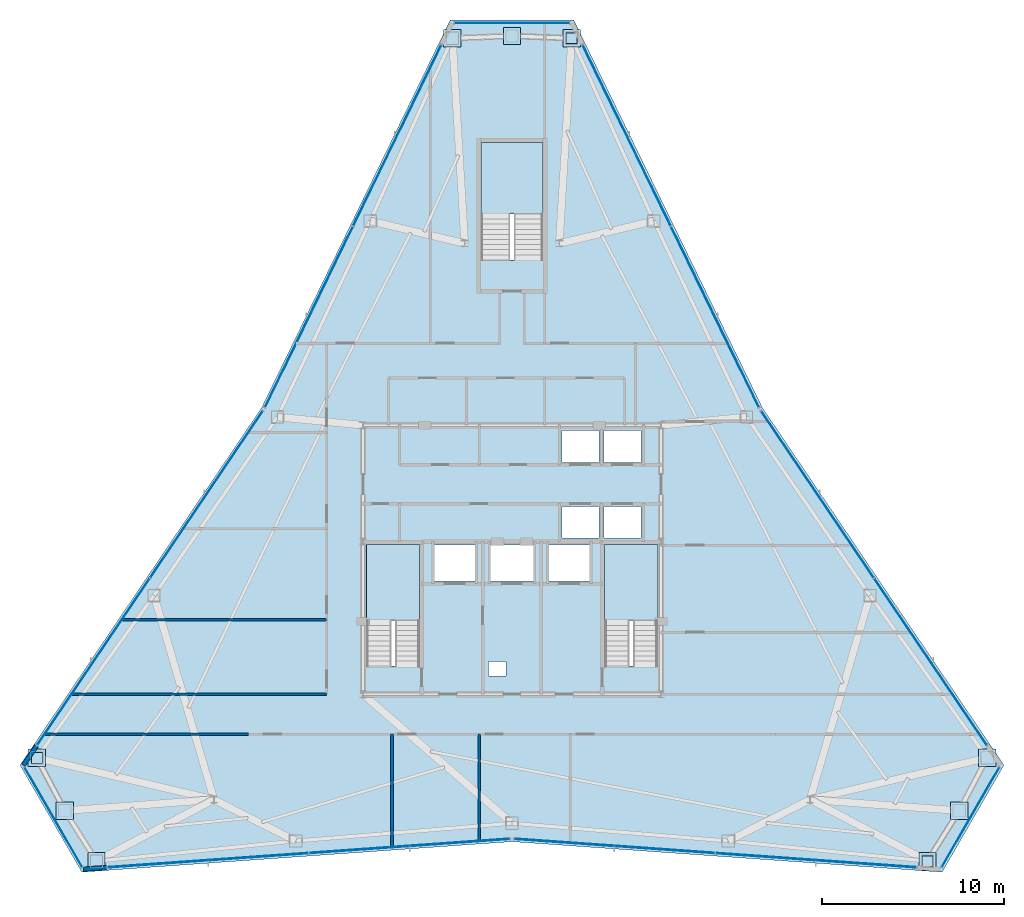
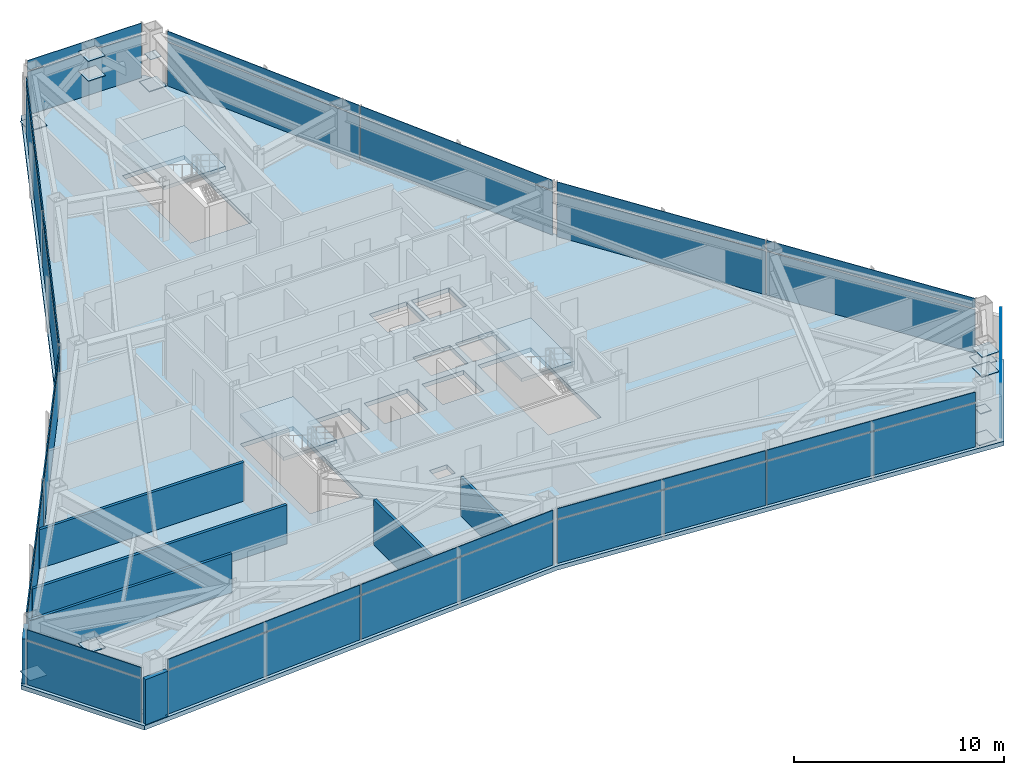
# One storey, part 8 of 12: 45 plates, 7 walls, 4 slabs, 12 elements without a shape of their own.
"""IFC4 building model written with IfcOpenShell, lengths in metres."""

from ifc_helpers import new_model, si_unit, direction, frame, frame_2d, origin, origin_2d, place, context, subcontext, project, spatial, polyline, rectangle, outline, extrude, source, transform, mapped, material, layer, layer_set, type_object, type_shapes, element, aggregate, save


model = new_model("IFC4")

# Units and contexts
model_context = context("Model", 3, precision=1e-05, world=origin(), true_north=direction((0.0, 1.0)))
body_context = subcontext(model_context, "Body", "Model", "MODEL_VIEW")
ifc_project = project(units=[si_unit("LENGTHUNIT", "METRE"), si_unit("AREAUNIT", "SQUARE_METRE"), si_unit("VOLUMEUNIT", "CUBIC_METRE"), si_unit("PLANEANGLEUNIT", "RADIAN"), si_unit("MASSUNIT", "GRAM", prefix="KILO")], contexts=[model_context])

# Site, building, storey
site_placement = place(None, origin())
site = spatial("IfcSite", under=ifc_project, at=site_placement, CompositionType="ELEMENT")
building_placement = place(site_placement, origin())
building = spatial("IfcBuilding", under=site, at=building_placement, Name="Varakhsha Concourse Tower", CompositionType="ELEMENT")
storey_placement = place(building_placement, frame((0.0, 0.0, 211.89990234375)))
storey = spatial("IfcBuildingStorey", under=building, at=storey_placement, Name="L60", CompositionType="ELEMENT", Elevation=211.89990234375)

# Slab
ifc_material_1 = material(Name="Concrete fc 45 MPa", Category="concrete")
ifc_layer_1 = layer(ifc_material_1, 0.25, Name="SL-FLR-250")
ifc_layer_set_1 = layer_set([ifc_layer_1], Name="Concrete fc 45 MPa")
slab_type_1 = type_object("IfcSlabType", Name="SL-FLR-250", PredefinedType="FLOOR", material=ifc_layer_set_1)
slab_1_placement = place(storey_placement, frame((0.0, 0.0, -0.25)))
element("IfcSlab", 1, at=slab_1_placement, inside=storey, type_object=slab_type_1, Name="L60 Composite Structural Slab", PredefinedType="FLOOR", context=body_context, shape_type="SweptSolid", body=[
    extrude(outline(polyline([(43.39990234375, 53.497802734375), (36.60009765625, 53.497802734375), (26.21728515625, 32.157470703125), (12.927490234375, 12.49560546875), (16.327392578125, 6.606689453125), (40.0, 8.28515625), (63.672607421875, 6.606689453125), (67.072509765625, 12.49560546875), (53.78271484375, 32.157470703125), (43.39990234375, 53.497802734375)]), holes=[polyline([(34.919921875, 17.93994140625), (34.919921875, 24.6298828125), (32.0, 24.6298828125), (32.0, 17.93994140625), (34.919921875, 17.93994140625)]), polyline([(48.02001953125, 17.93994140625), (48.02001953125, 24.6298828125), (45.10009765625, 24.6298828125), (45.10009765625, 17.93994140625), (48.02001953125, 17.93994140625)]), polyline([(41.699951171875, 40.300048828125), (41.699951171875, 46.75), (38.300048828125, 46.75), (38.300048828125, 40.300048828125), (41.699951171875, 40.300048828125)]), polyline([(42.739990234375, 29.159912109375), (44.780029296875, 29.159912109375), (44.780029296875, 30.89990234375), (42.739990234375, 30.89990234375), (42.739990234375, 29.159912109375)]), polyline([(45.06005859375, 29.159912109375), (47.10009765625, 29.159912109375), (47.10009765625, 30.89990234375), (45.06005859375, 30.89990234375), (45.06005859375, 29.159912109375)]), polyline([(42.739990234375, 25.0), (44.780029296875, 25.0), (44.780029296875, 26.739990234375), (42.739990234375, 26.739990234375), (42.739990234375, 25.0)]), polyline([(45.06005859375, 25.0), (47.10009765625, 25.0), (47.10009765625, 26.739990234375), (45.06005859375, 26.739990234375), (45.06005859375, 25.0)]), polyline([(35.7099609375, 22.639892578125), (37.989990234375, 22.639892578125), (37.989990234375, 24.60009765625), (35.7099609375, 24.60009765625), (35.7099609375, 22.639892578125)]), polyline([(42.010009765625, 22.639892578125), (44.2900390625, 22.639892578125), (44.2900390625, 24.60009765625), (42.010009765625, 24.60009765625), (42.010009765625, 22.639892578125)]), polyline([(38.81005859375, 22.639892578125), (41.18994140625, 22.639892578125), (41.18994140625, 24.60009765625), (38.81005859375, 24.60009765625), (38.81005859375, 22.639892578125)]), polyline([(38.719970703125, 17.39990234375), (39.679931640625, 17.39990234375), (39.679931640625, 18.199951171875), (38.719970703125, 18.199951171875), (38.719970703125, 17.39990234375)])]), origin(), (0.0, 0.0, 1.0), 0.25),
])

# Stair, slab
stair_type_1 = type_object("IfcStairType", Name="ST-DOGLEG-1360", PredefinedType="HALF_TURN_STAIR", material=ifc_material_1)
stair_1_placement = place(storey_placement, origin())
stair_1 = element("IfcStair", 2, at=stair_1_placement, inside=storey, type_object=stair_type_1, Name="L60 Protected Exit Stair ST1", PredefinedType="HALF_TURN_STAIR")
ifc_layer_2 = layer(ifc_material_1, 0.199951171875, Name="SL-LAND-200")
ifc_layer_set_2 = layer_set([ifc_layer_2], Name="Concrete fc 45 MPa")
slab_type_2 = type_object("IfcSlabType", Name="SL-LAND-200", PredefinedType="LANDING", material=ifc_layer_set_2)
slab_2_placement = place(storey_placement, frame((0.0, 0.0, 1.550048828125)))
slab_2 = element("IfcSlab", 3, at=slab_2_placement, type_object=slab_type_2, Name="ST1 landing 1", PredefinedType="LANDING", context=body_context, shape_type="SweptSolid", body=[
    extrude(outline(polyline([(34.919921875, 20.4599609375), (34.919921875, 24.6298828125), (32.0, 24.6298828125), (32.0, 20.4599609375), (34.919921875, 20.4599609375)])), origin(), (0.0, 0.0, 1.0), 0.199951171875),
])
aggregate(stair_1, [slab_2])

stair_2_placement = place(storey_placement, origin())
stair_2 = element("IfcStair", 4, at=stair_2_placement, inside=storey, type_object=stair_type_1, Name="L60 Protected Exit Stair ST2", PredefinedType="HALF_TURN_STAIR")
slab_3_placement = place(storey_placement, frame((0.0, 0.0, 1.550048828125)))
slab_3 = element("IfcSlab", 5, at=slab_3_placement, type_object=slab_type_2, Name="ST2 landing 1", PredefinedType="LANDING", context=body_context, shape_type="SweptSolid", body=[
    extrude(outline(polyline([(48.02001953125, 20.4599609375), (48.02001953125, 24.6298828125), (45.10009765625, 24.6298828125), (45.10009765625, 20.4599609375), (48.02001953125, 20.4599609375)])), origin(), (0.0, 0.0, 1.0), 0.199951171875),
])
aggregate(stair_2, [slab_3])

stair_type_2 = type_object("IfcStairType", Name="ST-DOGLEG-1600", PredefinedType="HALF_TURN_STAIR", material=ifc_material_1)
stair_3_placement = place(storey_placement, origin())
stair_3 = element("IfcStair", 6, at=stair_3_placement, inside=storey, type_object=stair_type_2, Name="L60 Protected Exit Stair ST5", PredefinedType="HALF_TURN_STAIR")
slab_4_placement = place(storey_placement, frame((0.0, 0.0, 1.550048828125)))
slab_4 = element("IfcSlab", 7, at=slab_4_placement, type_object=slab_type_2, Name="ST5 landing 1", PredefinedType="LANDING", context=body_context, shape_type="SweptSolid", body=[
    extrude(outline(polyline([(41.699951171875, 42.820068359375), (41.699951171875, 46.75), (38.300048828125, 46.75), (38.300048828125, 42.820068359375), (41.699951171875, 42.820068359375)])), origin(), (0.0, 0.0, 1.0), 0.199951171875),
])
aggregate(stair_3, [slab_4])

# Plates
ifc_material_2 = material(Name="Structural Steel ASTM A572 Grade 50", Category="steel")
ifc_layer_3 = layer(ifc_material_2, 0.030029296875, Name="PL-ENDCAP-950")
ifc_layer_set_3 = layer_set([ifc_layer_3], Name="Structural Steel ASTM A572 Grade 50")
plate_type_1 = type_object("IfcPlateType", Name="PL-ENDCAP-950", PredefinedType="USERDEFINED", material=ifc_layer_set_3)
shared_shape_1 = source(origin(), body_context, "Body", "SweptSolid", [
    extrude(rectangle(XDim=0.949951171875, YDim=0.949951171875, at=origin_2d()), origin(), (0.0, 0.0, 1.0), 0.030029296875),
])
type_shapes(plate_type_1, [shared_shape_1])
for number, where, z_axis, x_axis, name in (
    (8, (43.283203125, 52.492431640625, 0.10498046875), (0.0, 0.0, 1.0), (1.0, 0.0, 0.0), "Hollow Section End Cap GP-NODE-L60-0613"),
    (9, (40.0, 52.61767578125, 2.93505859375), (0.0, 0.0, 1.0), (1.0, 0.0, 0.0), "Hollow Section End Cap GP-NODE-L60-0614"),
    (10, (36.716796875, 52.492431640625, 0.10498046875), (0.0, 0.0, 1.0), (1.0, 0.0, 0.0), "Hollow Section End Cap GP-NODE-L60-0615"),
    (11, (13.856201171875, 12.897216796875, 0.10498046875), (0.0, 0.0, 1.0), (1.0, 0.0, 0.0), "Hollow Section End Cap GP-NODE-L60-0616"),
    (12, (15.389404296875, 9.9912109375, 2.93505859375), (0.0, 0.0, 1.0), (1.0, 0.0, 0.0), "Hollow Section End Cap GP-NODE-L60-0617"),
    (13, (17.1396484375, 7.210205078125, 0.10498046875), (0.0, 0.0, 1.0), (1.0, 0.0, 0.0), "Hollow Section End Cap GP-NODE-L60-0618"),
    (14, (62.8603515625, 7.210205078125, 0.10498046875), (0.0, 0.0, 1.0), (1.0, 0.0, 0.0), "Hollow Section End Cap GP-NODE-L60-0619"),
    (15, (64.610595703125, 9.9912109375, 2.93505859375), (0.0, 0.0, 1.0), (1.0, 0.0, 0.0), "Hollow Section End Cap GP-NODE-L60-0620"),
    (16, (66.143798828125, 12.897216796875, 0.10498046875), (0.0, 0.0, 1.0), (1.0, 0.0, 0.0), "Hollow Section End Cap GP-NODE-L60-0621"),
    (17, (40.0, 52.61767578125, 1.78515625), (0.0, 0.0, 1.0), (1.0, 0.0, 0.0), "Hollow Section End Cap GP-NODE-L60-0622"),
    (18, (15.389404296875, 9.9912109375, 1.78515625), (0.0, 0.0, 1.0), (1.0, 0.0, 0.0), "Hollow Section End Cap GP-NODE-L60-0623"),
    (19, (64.610595703125, 9.9912109375, 1.78515625), (0.0, 0.0, 1.0), (1.0, 0.0, 0.0), "Hollow Section End Cap GP-NODE-L60-0624"),
):
    element("IfcPlate", number, at=place(storey_placement, frame(where, z_axis=z_axis, x_axis=x_axis)), inside=storey, type_object=plate_type_1, Name=name, ObjectType="END PLATE", PredefinedType="USERDEFINED", context=body_context, shape_type="MappedRepresentation", body=[
        mapped(shared_shape_1, transform((0.0, 0.0, 0.0), scale=1.0)),
    ])
ifc_layer_4 = layer(ifc_material_2, 0.030029296875, Name="PL-BASE-600")
ifc_layer_set_4 = layer_set([ifc_layer_4], Name="Structural Steel ASTM A572 Grade 50")
plate_type_2 = type_object("IfcPlateType", Name="PL-BASE-600", PredefinedType="SHEET", material=ifc_layer_set_4)
shared_shape_2 = source(origin(), body_context, "Body", "SweptSolid", [
    extrude(rectangle(XDim=0.60009765625, YDim=0.60009765625, at=origin_2d()), origin(), (0.0, 0.0, 1.0), 0.030029296875),
])
type_shapes(plate_type_2, [shared_shape_2])
for number, where, z_axis, x_axis, name in (
    (20, (43.283203125, 52.492431640625, 1.78515625), (0.0, 0.0, 1.0), (1.0, 0.0, 0.0), "Hollow Section End Cap BP-WTIE-L60-1"),
    (21, (13.856201171875, 12.897216796875, 1.78515625), (0.0, 0.0, 1.0), (1.0, 0.0, 0.0), "Hollow Section End Cap BP-WTIE-L60-2"),
    (22, (62.8603515625, 7.210205078125, 1.78515625), (0.0, 0.0, 1.0), (1.0, 0.0, 0.0), "Hollow Section End Cap BP-WTIE-L60-3"),
):
    element("IfcPlate", number, at=place(storey_placement, frame(where, z_axis=z_axis, x_axis=x_axis)), inside=storey, type_object=plate_type_2, Name=name, PredefinedType="SHEET", context=body_context, shape_type="MappedRepresentation", body=[
        mapped(shared_shape_2, transform((0.0, 0.0, 0.0), scale=1.0)),
    ])

# Curtain wall, plate
ifc_material_3 = material(Name="Anodised Bronze Architectural Aluminium AA 6063-T6", Category="aluminium")
ifc_layer_5 = layer(ifc_material_3, 0.199951171875, Name="CW-SYS-05")
ifc_layer_set_5 = layer_set([ifc_layer_5], Name="Anodised Bronze Architectural Aluminium AA 6063-T6")
curtain_wall_type = type_object("IfcCurtainWallType", Name="CW-SYS-05", PredefinedType="NOTDEFINED", material=ifc_layer_set_5)
curtain_wall_1_placement = place(storey_placement, origin())
curtain_wall_1 = element("IfcCurtainWall", 23, at=curtain_wall_1_placement, inside=storey, type_object=curtain_wall_type, Name="L60 Crystal Curtain Wall F2", PredefinedType="NOTDEFINED")
ifc_material_4 = material(Name="Low-E Triple Insulating Glass IGU 44 mm", Category="glass")
ifc_layer_6 = layer(ifc_material_4, 0.0439453125, Name="CWP-IGU-44")
ifc_layer_set_6 = layer_set([ifc_layer_6], Name="Low-E Triple Insulating Glass IGU 44 mm")
plate_type_3 = type_object("IfcPlateType", Name="CWP-IGU-44", PredefinedType="CURTAIN_PANEL", material=ifc_layer_set_6)
shared_shape_3 = source(origin(), body_context, "Body", "SweptSolid", [
    extrude(rectangle(XDim=11.046875, YDim=0.0439453125, at=origin_2d()), origin(), (0.0, 0.0, 1.0), 2.535888671875),
])
plate_1_placement = place(storey_placement, frame((28.827880859375, 37.1572265625, 0.0322265625), z_axis=(0.0, 0.0, 1.0), x_axis=(0.437497178592, 0.899219783325, 0.0)))
plate_1 = element("IfcPlate", 24, at=plate_1_placement, type_object=plate_type_3, Name="CW-L60-F2 Panel 00-00", PredefinedType="CURTAIN_PANEL", context=body_context, shape_type="MappedRepresentation", body=[
    mapped(shared_shape_3, transform((0.0, 0.0, 0.0), scale=1.0)),
])

curtain_wall_2_placement = place(storey_placement, origin())
curtain_wall_2 = element("IfcCurtainWall", 25, at=curtain_wall_2_placement, inside=storey, type_object=curtain_wall_type, Name="L60 Crystal Curtain Wall F9", PredefinedType="NOTDEFINED")
plate_2_placement = place(storey_placement, frame((46.30908203125, 47.153076171875, 0.0322265625), z_axis=(0.0, 0.0, 1.0), x_axis=(0.437497178592, -0.899219783325, 0.0)))
plate_2 = element("IfcPlate", 26, at=plate_2_placement, type_object=plate_type_3, Name="CW-L60-F9 Panel 00-00", PredefinedType="CURTAIN_PANEL", context=body_context, shape_type="MappedRepresentation", body=[
    mapped(shared_shape_3, transform((0.0, 0.0, 0.0), scale=1.0)),
])

# Plate
ifc_material_5 = material(Name="Insulated Anodised Bronze Aluminium Spandrel 36 mm", Category="aluminium")
ifc_layer_7 = layer(ifc_material_5, 0.035888671875, Name="CWP-SPN-36")
ifc_layer_set_7 = layer_set([ifc_layer_7], Name="Insulated Anodised Bronze Aluminium Spandrel 36 mm")
plate_type_4 = type_object("IfcPlateType", Name="CWP-SPN-36", PredefinedType="USERDEFINED", material=ifc_layer_set_7)
shared_shape_4 = source(origin(), body_context, "Body", "SweptSolid", [
    extrude(rectangle(XDim=11.046875, YDim=0.035888671875, at=origin_2d()), origin(), (0.0, 0.0, 1.0), 0.5859375),
])
plate_3_placement = place(storey_placement, frame((28.827880859375, 37.1572265625, 2.632080078125), z_axis=(0.0, 0.0, 1.0), x_axis=(0.437497178592, 0.899219783325, 0.0)))
plate_3 = element("IfcPlate", 27, at=plate_3_placement, type_object=plate_type_4, Name="CW-L60-F2 Panel 00-01", ObjectType="SPANDREL", PredefinedType="USERDEFINED", context=body_context, shape_type="MappedRepresentation", body=[
    mapped(shared_shape_4, transform((0.0, 0.0, 0.0), scale=1.0)),
])

plate_4_placement = place(storey_placement, frame((46.30908203125, 47.153076171875, 2.632080078125), z_axis=(0.0, 0.0, 1.0), x_axis=(0.437497178592, -0.899219783325, 0.0)))
plate_4 = element("IfcPlate", 28, at=plate_4_placement, type_object=plate_type_4, Name="CW-L60-F9 Panel 00-01", ObjectType="SPANDREL", PredefinedType="USERDEFINED", context=body_context, shape_type="MappedRepresentation", body=[
    mapped(shared_shape_4, transform((0.0, 0.0, 0.0), scale=1.0)),
])

shared_shape_5 = source(origin(), body_context, "Body", "SweptSolid", [
    extrude(rectangle(XDim=11.047119140625, YDim=0.0439453125, at=origin_2d()), origin(), (0.0, 0.0, 1.0), 2.535888671875),
])
type_shapes(plate_type_3, [shared_shape_3, shared_shape_5])
plate_5_placement = place(storey_placement, frame((33.69091796875, 47.15283203125, 0.0322265625), z_axis=(0.0, 0.0, 1.0), x_axis=(0.437497178592, 0.899219783325, 0.0)))
plate_5 = element("IfcPlate", 29, at=plate_5_placement, type_object=plate_type_3, Name="CW-L60-F2 Panel 01-00", PredefinedType="CURTAIN_PANEL", context=body_context, shape_type="MappedRepresentation", body=[
    mapped(shared_shape_5, transform((0.0, 0.0, 0.0), scale=1.0)),
])

# Curtain wall, plates
curtain_wall_3_placement = place(storey_placement, origin())
curtain_wall_3 = element("IfcCurtainWall", 30, at=curtain_wall_3_placement, inside=storey, type_object=curtain_wall_type, Name="L60 Crystal Curtain Wall F3", PredefinedType="NOTDEFINED")
plate_6_placement = place(storey_placement, frame((16.9677734375, 18.187255859375, 0.0322265625), z_axis=(0.0, 0.0, 1.0), x_axis=(0.559998586649, 0.828493562408, 0.0)))
plate_6 = element("IfcPlate", 31, at=plate_6_placement, type_object=plate_type_3, Name="CW-L60-F3 Panel 00-00", PredefinedType="CURTAIN_PANEL", context=body_context, shape_type="MappedRepresentation", body=[
    mapped(shared_shape_5, transform((0.0, 0.0, 0.0), scale=1.0)),
])
plate_7_placement = place(storey_placement, frame((23.192626953125, 27.396728515625, 0.0322265625), z_axis=(0.0, 0.0, 1.0), x_axis=(0.559998586649, 0.828493562408, 0.0)))
plate_7 = element("IfcPlate", 32, at=plate_7_placement, type_object=plate_type_3, Name="CW-L60-F3 Panel 01-00", PredefinedType="CURTAIN_PANEL", context=body_context, shape_type="MappedRepresentation", body=[
    mapped(shared_shape_5, transform((0.0, 0.0, 0.0), scale=1.0)),
])

curtain_wall_4_placement = place(storey_placement, origin())
curtain_wall_4 = element("IfcCurtainWall", 33, at=curtain_wall_4_placement, inside=storey, type_object=curtain_wall_type, Name="L60 Crystal Curtain Wall F5", PredefinedType="NOTDEFINED")
plate_8_placement = place(storey_placement, frame((34.36474609375, 8.0458984375, 0.0322265625), z_axis=(0.0, 0.0, 1.0), x_axis=(-0.997496012116, -0.070722739, 0.0)))
plate_8 = element("IfcPlate", 34, at=plate_8_placement, type_object=plate_type_3, Name="CW-L60-F5 Panel 00-00", PredefinedType="CURTAIN_PANEL", context=body_context, shape_type="MappedRepresentation", body=[
    mapped(shared_shape_5, transform((0.0, 0.0, 0.0), scale=1.0)),
])
plate_9_placement = place(storey_placement, frame((23.276611328125, 7.259765625, 0.0322265625), z_axis=(0.0, 0.0, 1.0), x_axis=(-0.997496012116, -0.070722739, 0.0)))
plate_9 = element("IfcPlate", 35, at=plate_9_placement, type_object=plate_type_3, Name="CW-L60-F5 Panel 01-00", PredefinedType="CURTAIN_PANEL", context=body_context, shape_type="MappedRepresentation", body=[
    mapped(shared_shape_5, transform((0.0, 0.0, 0.0), scale=1.0)),
])

curtain_wall_5_placement = place(storey_placement, origin())
curtain_wall_5 = element("IfcCurtainWall", 36, at=curtain_wall_5_placement, inside=storey, type_object=curtain_wall_type, Name="L60 Crystal Curtain Wall F6", PredefinedType="NOTDEFINED")
plate_10_placement = place(storey_placement, frame((56.723388671875, 7.259765625, 0.0322265625), z_axis=(0.0, 0.0, 1.0), x_axis=(-0.997496012116, 0.070722739, 0.0)))
plate_10 = element("IfcPlate", 37, at=plate_10_placement, type_object=plate_type_3, Name="CW-L60-F6 Panel 00-00", PredefinedType="CURTAIN_PANEL", context=body_context, shape_type="MappedRepresentation", body=[
    mapped(shared_shape_5, transform((0.0, 0.0, 0.0), scale=1.0)),
])
plate_11_placement = place(storey_placement, frame((45.63525390625, 8.0458984375, 0.0322265625), z_axis=(0.0, 0.0, 1.0), x_axis=(-0.997496012116, 0.070722739, 0.0)))
plate_11 = element("IfcPlate", 38, at=plate_11_placement, type_object=plate_type_3, Name="CW-L60-F6 Panel 01-00", PredefinedType="CURTAIN_PANEL", context=body_context, shape_type="MappedRepresentation", body=[
    mapped(shared_shape_5, transform((0.0, 0.0, 0.0), scale=1.0)),
])

curtain_wall_6_placement = place(storey_placement, origin())
curtain_wall_6 = element("IfcCurtainWall", 39, at=curtain_wall_6_placement, inside=storey, type_object=curtain_wall_type, Name="L60 Crystal Curtain Wall F8", PredefinedType="NOTDEFINED")
plate_12_placement = place(storey_placement, frame((56.807373046875, 27.396728515625, 0.0322265625), z_axis=(0.0, 0.0, 1.0), x_axis=(0.559998586649, -0.828493562408, 0.0)))
plate_12 = element("IfcPlate", 40, at=plate_12_placement, type_object=plate_type_3, Name="CW-L60-F8 Panel 00-00", PredefinedType="CURTAIN_PANEL", context=body_context, shape_type="MappedRepresentation", body=[
    mapped(shared_shape_5, transform((0.0, 0.0, 0.0), scale=1.0)),
])
plate_13_placement = place(storey_placement, frame((63.0322265625, 18.187255859375, 0.0322265625), z_axis=(0.0, 0.0, 1.0), x_axis=(0.559998586649, -0.828493562408, 0.0)))
plate_13 = element("IfcPlate", 41, at=plate_13_placement, type_object=plate_type_3, Name="CW-L60-F8 Panel 01-00", PredefinedType="CURTAIN_PANEL", context=body_context, shape_type="MappedRepresentation", body=[
    mapped(shared_shape_5, transform((0.0, 0.0, 0.0), scale=1.0)),
])

# Plate
plate_14_placement = place(storey_placement, frame((51.172119140625, 37.1572265625, 0.0322265625), z_axis=(0.0, 0.0, 1.0), x_axis=(0.437497178592, -0.899219783325, 0.0)))
plate_14 = element("IfcPlate", 42, at=plate_14_placement, type_object=plate_type_3, Name="CW-L60-F9 Panel 01-00", PredefinedType="CURTAIN_PANEL", context=body_context, shape_type="MappedRepresentation", body=[
    mapped(shared_shape_5, transform((0.0, 0.0, 0.0), scale=1.0)),
])

shared_shape_6 = source(origin(), body_context, "Body", "SweptSolid", [
    extrude(rectangle(XDim=11.047119140625, YDim=0.035888671875, at=origin_2d()), origin(), (0.0, 0.0, 1.0), 0.5859375),
])
plate_15_placement = place(storey_placement, frame((33.69091796875, 47.15283203125, 2.632080078125), z_axis=(0.0, 0.0, 1.0), x_axis=(0.437497178592, 0.899219783325, 0.0)))
plate_15 = element("IfcPlate", 43, at=plate_15_placement, type_object=plate_type_4, Name="CW-L60-F2 Panel 01-01", ObjectType="SPANDREL", PredefinedType="USERDEFINED", context=body_context, shape_type="MappedRepresentation", body=[
    mapped(shared_shape_6, transform((0.0, 0.0, 0.0), scale=1.0)),
])

aggregate(curtain_wall_1, [plate_1, plate_3, plate_5, plate_15])

plate_16_placement = place(storey_placement, frame((16.9677734375, 18.187255859375, 2.632080078125), z_axis=(0.0, 0.0, 1.0), x_axis=(0.559998586649, 0.828493562408, 0.0)))
plate_16 = element("IfcPlate", 44, at=plate_16_placement, type_object=plate_type_4, Name="CW-L60-F3 Panel 00-01", ObjectType="SPANDREL", PredefinedType="USERDEFINED", context=body_context, shape_type="MappedRepresentation", body=[
    mapped(shared_shape_6, transform((0.0, 0.0, 0.0), scale=1.0)),
])

plate_17_placement = place(storey_placement, frame((23.192626953125, 27.396728515625, 2.632080078125), z_axis=(0.0, 0.0, 1.0), x_axis=(0.559998586649, 0.828493562408, 0.0)))
plate_17 = element("IfcPlate", 45, at=plate_17_placement, type_object=plate_type_4, Name="CW-L60-F3 Panel 01-01", ObjectType="SPANDREL", PredefinedType="USERDEFINED", context=body_context, shape_type="MappedRepresentation", body=[
    mapped(shared_shape_6, transform((0.0, 0.0, 0.0), scale=1.0)),
])

aggregate(curtain_wall_3, [plate_6, plate_16, plate_7, plate_17])

plate_18_placement = place(storey_placement, frame((34.36474609375, 8.0458984375, 2.632080078125), z_axis=(0.0, 0.0, 1.0), x_axis=(-0.997496012116, -0.070722739, 0.0)))
plate_18 = element("IfcPlate", 46, at=plate_18_placement, type_object=plate_type_4, Name="CW-L60-F5 Panel 00-01", ObjectType="SPANDREL", PredefinedType="USERDEFINED", context=body_context, shape_type="MappedRepresentation", body=[
    mapped(shared_shape_6, transform((0.0, 0.0, 0.0), scale=1.0)),
])

plate_19_placement = place(storey_placement, frame((23.276611328125, 7.259765625, 2.632080078125), z_axis=(0.0, 0.0, 1.0), x_axis=(-0.997496012116, -0.070722739, 0.0)))
plate_19 = element("IfcPlate", 47, at=plate_19_placement, type_object=plate_type_4, Name="CW-L60-F5 Panel 01-01", ObjectType="SPANDREL", PredefinedType="USERDEFINED", context=body_context, shape_type="MappedRepresentation", body=[
    mapped(shared_shape_6, transform((0.0, 0.0, 0.0), scale=1.0)),
])

aggregate(curtain_wall_4, [plate_8, plate_18, plate_9, plate_19])

plate_20_placement = place(storey_placement, frame((56.723388671875, 7.259765625, 2.632080078125), z_axis=(0.0, 0.0, 1.0), x_axis=(-0.997496012116, 0.070722739, 0.0)))
plate_20 = element("IfcPlate", 48, at=plate_20_placement, type_object=plate_type_4, Name="CW-L60-F6 Panel 00-01", ObjectType="SPANDREL", PredefinedType="USERDEFINED", context=body_context, shape_type="MappedRepresentation", body=[
    mapped(shared_shape_6, transform((0.0, 0.0, 0.0), scale=1.0)),
])

plate_21_placement = place(storey_placement, frame((45.63525390625, 8.0458984375, 2.632080078125), z_axis=(0.0, 0.0, 1.0), x_axis=(-0.997496012116, 0.070722739, 0.0)))
plate_21 = element("IfcPlate", 49, at=plate_21_placement, type_object=plate_type_4, Name="CW-L60-F6 Panel 01-01", ObjectType="SPANDREL", PredefinedType="USERDEFINED", context=body_context, shape_type="MappedRepresentation", body=[
    mapped(shared_shape_6, transform((0.0, 0.0, 0.0), scale=1.0)),
])

aggregate(curtain_wall_5, [plate_10, plate_20, plate_11, plate_21])

plate_22_placement = place(storey_placement, frame((56.807373046875, 27.396728515625, 2.632080078125), z_axis=(0.0, 0.0, 1.0), x_axis=(0.559998586649, -0.828493562408, 0.0)))
plate_22 = element("IfcPlate", 50, at=plate_22_placement, type_object=plate_type_4, Name="CW-L60-F8 Panel 00-01", ObjectType="SPANDREL", PredefinedType="USERDEFINED", context=body_context, shape_type="MappedRepresentation", body=[
    mapped(shared_shape_6, transform((0.0, 0.0, 0.0), scale=1.0)),
])

plate_23_placement = place(storey_placement, frame((63.0322265625, 18.187255859375, 2.632080078125), z_axis=(0.0, 0.0, 1.0), x_axis=(0.559998586649, -0.828493562408, 0.0)))
plate_23 = element("IfcPlate", 51, at=plate_23_placement, type_object=plate_type_4, Name="CW-L60-F8 Panel 01-01", ObjectType="SPANDREL", PredefinedType="USERDEFINED", context=body_context, shape_type="MappedRepresentation", body=[
    mapped(shared_shape_6, transform((0.0, 0.0, 0.0), scale=1.0)),
])

aggregate(curtain_wall_6, [plate_12, plate_22, plate_13, plate_23])

plate_24_placement = place(storey_placement, frame((51.172119140625, 37.1572265625, 2.632080078125), z_axis=(0.0, 0.0, 1.0), x_axis=(0.437497178592, -0.899219783325, 0.0)))
plate_24 = element("IfcPlate", 52, at=plate_24_placement, type_object=plate_type_4, Name="CW-L60-F9 Panel 01-01", ObjectType="SPANDREL", PredefinedType="USERDEFINED", context=body_context, shape_type="MappedRepresentation", body=[
    mapped(shared_shape_6, transform((0.0, 0.0, 0.0), scale=1.0)),
])

aggregate(curtain_wall_2, [plate_2, plate_4, plate_14, plate_24])

# Curtain wall, plate
curtain_wall_7_placement = place(storey_placement, origin())
curtain_wall_7 = element("IfcCurtainWall", 53, at=curtain_wall_7_placement, inside=storey, type_object=curtain_wall_type, Name="L60 Chamfer Curtain Wall F1", PredefinedType="NOTDEFINED")
shared_shape_7 = source(origin(), body_context, "Body", "SweptSolid", [
    extrude(rectangle(XDim=6.291015625, YDim=0.035888671875, at=origin_2d()), origin(), (0.0, 0.0, 1.0), 2.535888671875),
])
plate_25_placement = place(storey_placement, frame((40.0, 53.337646484375, 0.0322265625), z_axis=(0.0, 0.0, 1.0), x_axis=(1.0, 0.0, 0.0)))
plate_25 = element("IfcPlate", 54, at=plate_25_placement, type_object=plate_type_4, Name="CW-L60-F1 Panel 00-00", ObjectType="SPANDREL", PredefinedType="USERDEFINED", context=body_context, shape_type="MappedRepresentation", body=[
    mapped(shared_shape_7, transform((0.0, 0.0, 0.0), scale=1.0)),
])

curtain_wall_8_placement = place(storey_placement, origin())
curtain_wall_8 = element("IfcCurtainWall", 55, at=curtain_wall_8_placement, inside=storey, type_object=curtain_wall_type, Name="L60 Chamfer Curtain Wall F4", PredefinedType="NOTDEFINED")
plate_26_placement = place(storey_placement, frame((14.76611328125, 9.631103515625, 0.0322265625), z_axis=(0.0, 0.0, 1.0), x_axis=(-0.49999395399, 0.866028894422, 0.0)))
plate_26 = element("IfcPlate", 56, at=plate_26_placement, type_object=plate_type_4, Name="CW-L60-F4 Panel 00-00", ObjectType="SPANDREL", PredefinedType="USERDEFINED", context=body_context, shape_type="MappedRepresentation", body=[
    mapped(shared_shape_7, transform((0.0, 0.0, 0.0), scale=1.0)),
])

curtain_wall_9_placement = place(storey_placement, origin())
curtain_wall_9 = element("IfcCurtainWall", 57, at=curtain_wall_9_placement, inside=storey, type_object=curtain_wall_type, Name="L60 Chamfer Curtain Wall F7", PredefinedType="NOTDEFINED")
plate_27_placement = place(storey_placement, frame((65.23388671875, 9.631103515625, 0.0322265625), z_axis=(0.0, 0.0, 1.0), x_axis=(-0.49999395399, -0.866028894422, 0.0)))
plate_27 = element("IfcPlate", 58, at=plate_27_placement, type_object=plate_type_4, Name="CW-L60-F7 Panel 00-00", ObjectType="SPANDREL", PredefinedType="USERDEFINED", context=body_context, shape_type="MappedRepresentation", body=[
    mapped(shared_shape_7, transform((0.0, 0.0, 0.0), scale=1.0)),
])

# Plate
shared_shape_8 = source(origin(), body_context, "Body", "SweptSolid", [
    extrude(rectangle(XDim=6.291015625, YDim=0.035888671875, at=origin_2d()), origin(), (0.0, 0.0, 1.0), 0.5859375),
])
type_shapes(plate_type_4, [shared_shape_4, shared_shape_6, shared_shape_7, shared_shape_8])
plate_28_placement = place(storey_placement, frame((40.0, 53.337646484375, 2.632080078125), z_axis=(0.0, 0.0, 1.0), x_axis=(1.0, 0.0, 0.0)))
plate_28 = element("IfcPlate", 59, at=plate_28_placement, type_object=plate_type_4, Name="CW-L60-F1 Panel 00-01", ObjectType="SPANDREL", PredefinedType="USERDEFINED", context=body_context, shape_type="MappedRepresentation", body=[
    mapped(shared_shape_8, transform((0.0, 0.0, 0.0), scale=1.0)),
])

aggregate(curtain_wall_7, [plate_25, plate_28])

plate_29_placement = place(storey_placement, frame((14.76611328125, 9.631103515625, 2.632080078125), z_axis=(0.0, 0.0, 1.0), x_axis=(-0.49999395399, 0.866028894422, 0.0)))
plate_29 = element("IfcPlate", 60, at=plate_29_placement, type_object=plate_type_4, Name="CW-L60-F4 Panel 00-01", ObjectType="SPANDREL", PredefinedType="USERDEFINED", context=body_context, shape_type="MappedRepresentation", body=[
    mapped(shared_shape_8, transform((0.0, 0.0, 0.0), scale=1.0)),
])

aggregate(curtain_wall_8, [plate_26, plate_29])

plate_30_placement = place(storey_placement, frame((65.23388671875, 9.631103515625, 2.632080078125), z_axis=(0.0, 0.0, 1.0), x_axis=(-0.49999395399, -0.866028894422, 0.0)))
plate_30 = element("IfcPlate", 61, at=plate_30_placement, type_object=plate_type_4, Name="CW-L60-F7 Panel 00-01", ObjectType="SPANDREL", PredefinedType="USERDEFINED", context=body_context, shape_type="MappedRepresentation", body=[
    mapped(shared_shape_8, transform((0.0, 0.0, 0.0), scale=1.0)),
])

aggregate(curtain_wall_9, [plate_27, plate_30])

# Walls
ifc_layer_8 = layer(ifc_material_1, 0.239990234375, Name="WL-EXT-CRN-240")
ifc_layer_set_8 = layer_set([ifc_layer_8], Name="Concrete fc 45 MPa")
wall_type_1 = type_object("IfcWallType", Name="WL-EXT-CRN-240", PredefinedType="SHEAR", material=ifc_layer_set_8)
wall_1_placement = place(storey_placement, frame((13.8369140625, 13.5556640625, 0.0), z_axis=(0.0, 0.0, 1.0), x_axis=(-0.559984079849, -0.828503367715, 0.0)))
element("IfcWall", 62, at=wall_1_placement, inside=storey, type_object=wall_type_1, Name="L60 Wind-Corner Shoulder Wall F3", PredefinedType="SHEAR", context=body_context, shape_type="SweptSolid", body=[
    extrude(rectangle(XDim=1.287353515625, YDim=0.239990234375, at=frame_2d((0.6435546875, 0.0))), origin(), (0.0, 0.0, 1.0), 2.623046875),
])
wall_2_placement = place(storey_placement, frame((16.415771484375, 6.773193359375, 0.0), z_axis=(0.0, 0.0, 1.0), x_axis=(0.997482703795, 0.070910194111, 0.0)))
element("IfcWall", 63, at=wall_2_placement, inside=storey, type_object=wall_type_1, Name="L60 Wind-Corner Shoulder Wall F5", PredefinedType="SHEAR", context=body_context, shape_type="SweptSolid", body=[
    extrude(rectangle(XDim=1.28759765625, YDim=0.239990234375, at=frame_2d((0.643798828125, 0.0))), origin(), (0.0, 0.0, 1.0), 2.623046875),
])
ifc_material_6 = material(Name="Fire-Rated Type X Gypsum Partition Assembly", Category="gypsum")
ifc_layer_9 = layer(ifc_material_6, 0.14990234375, Name="WL-PART-150")
ifc_layer_set_9 = layer_set([ifc_layer_9], Name="Fire-Rated Type X Gypsum Partition Assembly")
wall_type_2 = type_object("IfcWallType", Name="WL-PART-150", PredefinedType="PARTITIONING", material=ifc_layer_set_9)
wall_3_placement = place(storey_placement, frame((14.278564453125, 14.199951171875, 0.0), z_axis=(0.0, 0.0, 1.0), x_axis=(1.0, 0.0, 0.0)))
element("IfcWall", 64, at=wall_3_placement, inside=storey, type_object=wall_type_2, Name="L60 Wall CRW-SGAL-SW-L60", PredefinedType="PARTITIONING", context=body_context, shape_type="SweptSolid", body=[
    extrude(rectangle(XDim=11.221435546875, YDim=0.14990234375, at=frame_2d((5.61083984375, 0.0))), origin(), (0.0, 0.0, 1.0), 2.26513671875),
])
wall_4_placement = place(storey_placement, frame((15.765625, 16.39990234375, 0.0), z_axis=(0.0, 0.0, 1.0), x_axis=(1.0, 0.0, 0.0)))
element("IfcWall", 65, at=wall_4_placement, inside=storey, type_object=wall_type_2, Name="L60 Wall CRW-SGAL-NW-L60", PredefinedType="PARTITIONING", context=body_context, shape_type="SweptSolid", body=[
    extrude(rectangle(XDim=14.034423828125, YDim=0.14990234375, at=frame_2d((7.01708984375, 0.0))), origin(), (0.0, 0.0, 1.0), 2.26513671875),
])
wall_5_placement = place(storey_placement, frame((33.39990234375, 7.982421875, 0.0), z_axis=(0.0, 0.0, 1.0), x_axis=(0.0, 1.0, 0.0)))
element("IfcWall", 66, at=wall_5_placement, inside=storey, type_object=wall_type_2, Name="L60 Wall ODIV-S1-L60", PredefinedType="PARTITIONING", context=body_context, shape_type="SweptSolid", body=[
    extrude(rectangle(XDim=6.217529296875, YDim=0.14990234375, at=frame_2d((3.10888671875, 0.0))), origin(), (0.0, 0.0, 1.0), 2.628173828125),
])
wall_6_placement = place(storey_placement, frame((38.199951171875, 8.322998046875, 0.0), z_axis=(0.0, 0.0, 1.0), x_axis=(0.0, 1.0, 0.0)))
element("IfcWall", 67, at=wall_6_placement, inside=storey, type_object=wall_type_2, Name="L60 Wall ODIV-S2-L60", PredefinedType="PARTITIONING", context=body_context, shape_type="SweptSolid", body=[
    extrude(rectangle(XDim=5.876953125, YDim=0.14990234375, at=frame_2d((2.9384765625, 0.0))), origin(), (0.0, 0.0, 1.0), 2.26513671875),
])
wall_7_placement = place(storey_placement, frame((18.536865234375, 20.5, 0.0), z_axis=(0.0, 0.0, 1.0), x_axis=(1.0, 0.0, 0.0)))
element("IfcWall", 68, at=wall_7_placement, inside=storey, type_object=wall_type_2, Name="L60 Wall ODIV-W1-L60", PredefinedType="PARTITIONING", context=body_context, shape_type="SweptSolid", body=[
    extrude(rectangle(XDim=11.26318359375, YDim=0.14990234375, at=frame_2d((5.631591796875, 0.0))), origin(), (0.0, 0.0, 1.0), 2.26513671875),
])

save(model, "model.ifc")
